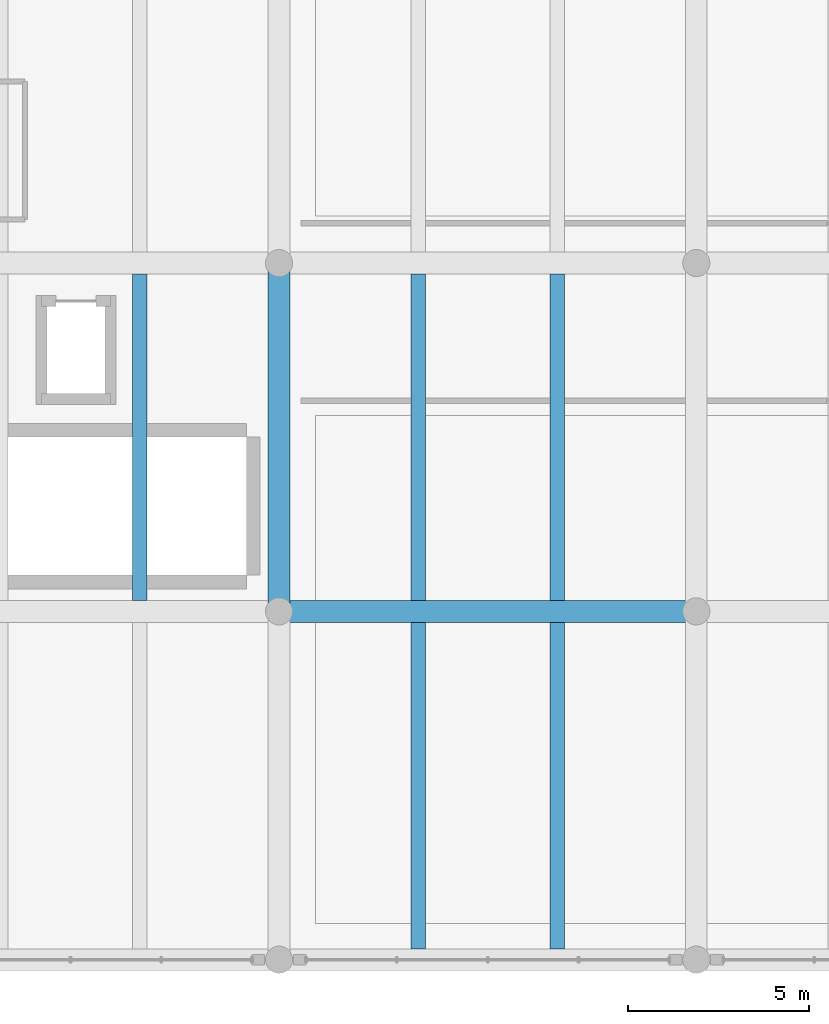
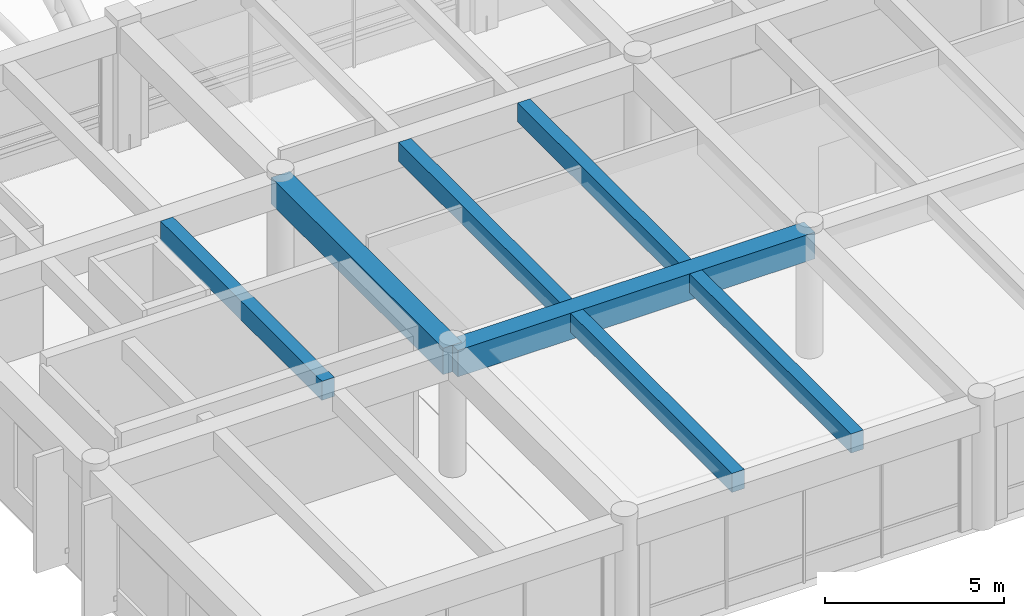
# One storey, part 29 of 154: 7 beams.
"""IFC4 building model written with IfcOpenShell, lengths in metres."""

from ifc_helpers import new_model, si_unit, direction, frame, origin, origin_2d, place, context, subcontext, project, spatial, rectangle, extrude, material, material_profile, profile_set, type_object, element, save


model = new_model("IFC4")

# Units and contexts
model_context = context("Model", 3, precision=1e-05, world=origin(), true_north=direction((0.0, 1.0)))
body_context = subcontext(model_context, "Body", "Model", "MODEL_VIEW")
ifc_project = project(units=[si_unit("LENGTHUNIT", "METRE"), si_unit("AREAUNIT", "SQUARE_METRE"), si_unit("VOLUMEUNIT", "CUBIC_METRE"), si_unit("PLANEANGLEUNIT", "RADIAN"), si_unit("MASSUNIT", "GRAM", prefix="KILO")], contexts=[model_context])

# Site, building, storey
site_placement = place(None, origin())
site = spatial("IfcSite", under=ifc_project, at=site_placement, CompositionType="ELEMENT")
building_placement = place(site_placement, origin())
building = spatial("IfcBuilding", under=site, at=building_placement, Name="Ologun Quay Terminus", CompositionType="ELEMENT")
storey_placement = place(building_placement, frame((0.0, 0.0, 13.800048828125)))
storey = spatial("IfcBuildingStorey", under=building, at=storey_placement, Name="L03", CompositionType="ELEMENT", Elevation=13.800048828125)

# Beams
ifc_material_1 = material(Name="Concrete C40/50", Category="concrete")
ifc_material_profile_1 = material_profile(ifc_material_1, rectangle(XDim=0.60009765625, YDim=0.89990234375, at=origin_2d()), Name="RC 600x900")
ifc_profile_set_1 = profile_set([ifc_material_profile_1], Name="Concrete C40/50")
beam_type_1 = type_object("IfcBeamType", Name="Station Frame Girder 600x900", PredefinedType="BEAM", material=ifc_profile_set_1)
beam_1_placement = place(storey_placement, frame((69.0, 17.60009765625, 3.800048828125), z_axis=(1.0, 0.0, 0.0), x_axis=(0.0, 1.0, 0.0)))
element("IfcBeam", 1, at=beam_1_placement, inside=storey, type_object=beam_type_1, Name="B3 Beam 7/C L03", PredefinedType="BEAM", context=body_context, shape_type="SweptSolid", body=[
    extrude(rectangle(XDim=0.60009765625, YDim=0.89990234375, at=origin_2d()), origin(), (0.0, 0.0, 1.0), 11.5),
])
beam_2_placement = place(storey_placement, frame((69.0, 17.60009765625, 3.800048828125), z_axis=(0.0, 1.0, 0.0), x_axis=(-1.0, 0.0, 0.0)))
element("IfcBeam", 2, at=beam_2_placement, inside=storey, type_object=beam_type_1, Name="B3 Beam 7/C L03", PredefinedType="BEAM", context=body_context, shape_type="SweptSolid", body=[
    extrude(rectangle(XDim=0.60009765625, YDim=0.89990234375, at=origin_2d()), origin(), (0.0, 0.0, 1.0), 9.599853515625),
])
ifc_material_2 = material(Name="Concrete C40/50", Category="concrete")
ifc_material_profile_2 = material_profile(ifc_material_2, rectangle(XDim=0.39990234375, YDim=0.64990234375, at=origin_2d()), Name="RC 400x650")
ifc_profile_set_2 = profile_set([ifc_material_profile_2], Name="Concrete C40/50")
beam_type_2 = type_object("IfcBeamType", Name="Station Secondary Joist 400x650", PredefinedType="JOIST", material=ifc_profile_set_2)
for number, where, z_axis, x_axis, name in (
    (3, (65.166748046875, 17.89990234375, 3.925048828125), (0.0, 1.0, 0.0), (-1.0, 0.0, 0.0), "J1 Beam 6/C L03"),
    (4, (72.833251953125, 8.300048828125, 3.925048828125), (0.0, 1.0, 0.0), (-1.0, 0.0, 0.0), "J1 Beam 7/B L03"),
    (5, (76.666748046875, 8.300048828125, 3.925048828125), (0.0, 1.0, 0.0), (-1.0, 0.0, 0.0), "J1 Beam 7/B L03"),
    (6, (72.833251953125, 17.89990234375, 3.925048828125), (0.0, 1.0, 0.0), (-1.0, 0.0, 0.0), "J1 Beam 7/C L03"),
    (7, (76.666748046875, 17.89990234375, 3.925048828125), (0.0, 1.0, 0.0), (-1.0, 0.0, 0.0), "J1 Beam 7/C L03"),
):
    element("IfcBeam", number, at=place(storey_placement, frame(where, z_axis=z_axis, x_axis=x_axis)), inside=storey, type_object=beam_type_2, Name=name, PredefinedType="JOIST", context=body_context, shape_type="SweptSolid", body=[
        extrude(rectangle(XDim=0.39990234375, YDim=0.64990234375, at=origin_2d()), origin(), (0.0, 0.0, 1.0), 9.0),
    ])

save(model, "model.ifc")
